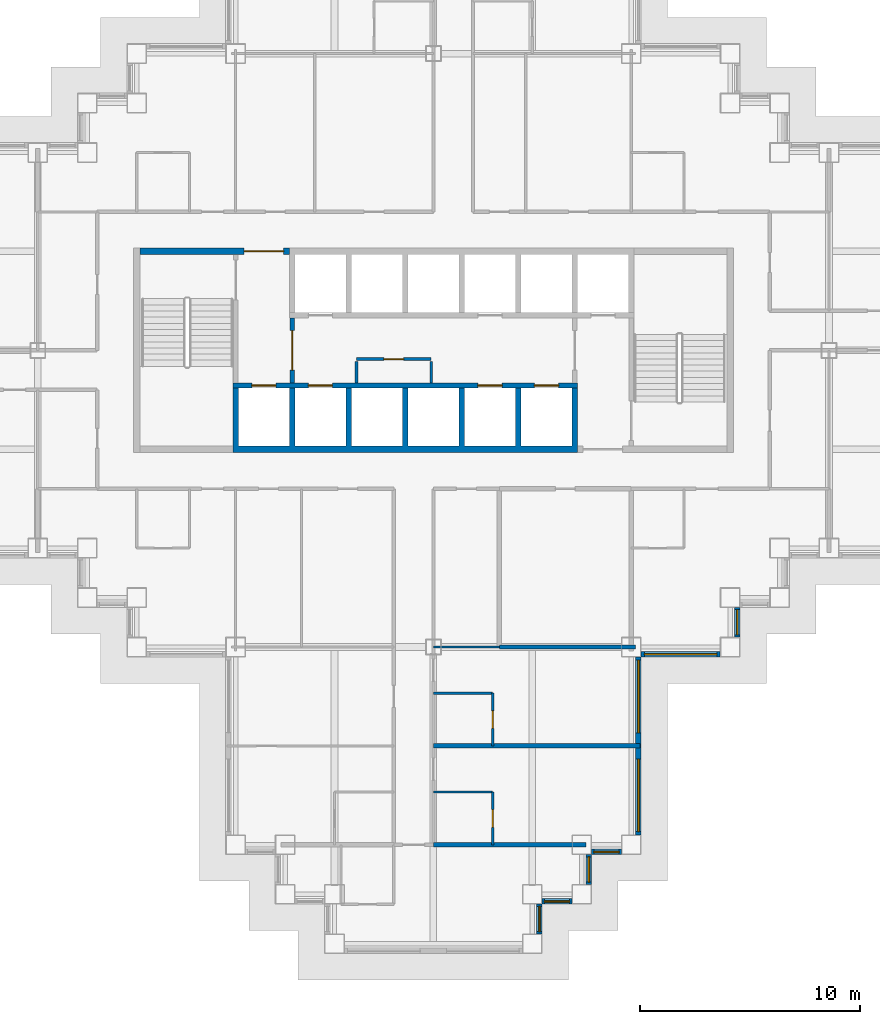
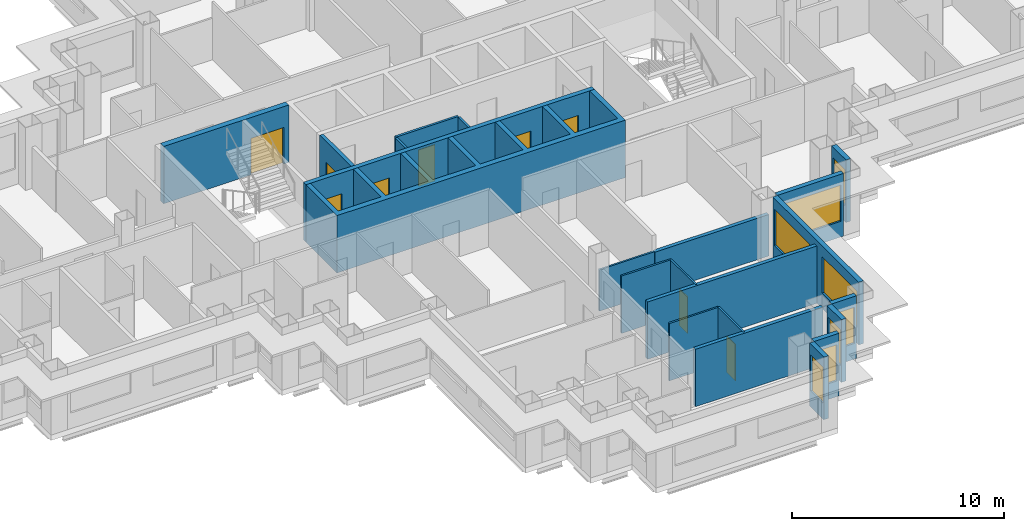
# One storey, part 5 of 15: 22 walls, 9 doors, 8 windows, 17 openings.
"""IFC4 building model written with IfcOpenShell, lengths in metres."""

from ifc_helpers import new_model, si_unit, direction, frame, frame_2d, origin, place, context, subcontext, project, spatial, polyline, rectangle, outline, extrude, material, layer, layer_set, type_object, element, fill, save


model = new_model("IFC4")

# Units and contexts
model_context = context("Model", 3, precision=1e-05, world=origin(), true_north=direction((0.0, 1.0)))
body_context = subcontext(model_context, "Body", "Model", "MODEL_VIEW")
ifc_project = project(units=[si_unit("LENGTHUNIT", "METRE"), si_unit("AREAUNIT", "SQUARE_METRE"), si_unit("VOLUMEUNIT", "CUBIC_METRE"), si_unit("PLANEANGLEUNIT", "RADIAN"), si_unit("MASSUNIT", "GRAM", prefix="KILO")], contexts=[model_context])

# Site, building, storey
site_placement = place(None, origin())
site = spatial("IfcSite", under=ifc_project, at=site_placement, CompositionType="ELEMENT")
building_placement = place(site_placement, origin())
building = spatial("IfcBuilding", under=site, at=building_placement, Name="Caravel Reach Hotel and Residences", CompositionType="ELEMENT")
storey_placement = place(building_placement, frame((0.0, 0.0, 108.0)))
storey = spatial("IfcBuildingStorey", under=building, at=storey_placement, Name="L26", CompositionType="ELEMENT", Elevation=108.0)

# Walls
ifc_material_1 = material(Name="Gypsum board on steel stud", Category="steel")
ifc_layer_1 = layer(ifc_material_1, 0.10009765625)
ifc_layer_set_1 = layer_set([ifc_layer_1], Name="Bathroom pod wall 100 mm")
wall_type_1 = type_object("IfcWallType", Name="Bathroom pod wall 100 mm", PredefinedType="PARTITIONING", material=ifc_layer_set_1)
for number, where, z_axis, x_axis, name in (
    (1, (31.5, 11.39990234375, 0.0), (0.0, 0.0, 1.0), (1.0, 0.0, 0.0), "L26 wall w082"),
    (2, (31.5, 6.89990234375, 0.0), (0.0, 0.0, 1.0), (1.0, 0.0, 0.0), "L26 wall w096"),
):
    element("IfcWall", number, at=place(storey_placement, frame(where, z_axis=z_axis, x_axis=x_axis)), inside=storey, type_object=wall_type_1, Name=name, PredefinedType="PARTITIONING", context=body_context, shape_type="SweptSolid", body=[
        extrude(rectangle(XDim=2.699951171875, YDim=0.10009765625, at=frame_2d((1.35009765625, 0.0))), origin(), (0.0, 0.0, 1.0), 3.300048828125),
    ])

# Wall, opening, door
wall_1_placement = place(storey_placement, frame((34.199951171875, 9.0, 0.0), z_axis=(0.0, 0.0, 1.0), x_axis=(0.0, 1.0, 0.0)))
wall_1 = element("IfcWall", 3, at=wall_1_placement, inside=storey, type_object=wall_type_1, Name="L26 wall w108", PredefinedType="PARTITIONING", context=body_context, shape_type="SweptSolid", body=[
    extrude(rectangle(XDim=2.39990234375, YDim=0.10009765625, at=frame_2d((1.199951171875, 0.0))), origin(), (0.0, 0.0, 1.0), 3.300048828125),
])
opening_1_placement = place(wall_1_placement, frame((0.800048828125, 0.0, 0.0)))
opening_1 = element("IfcOpeningElement", 4, at=opening_1_placement, cuts=wall_1, Name="Opening D26-036", PredefinedType="OPENING", context=body_context, shape_type="SweptSolid", body=[
    extrude(rectangle(XDim=0.800048828125, YDim=2.10009765625, at=frame_2d((0.39990234375, 1.050048828125))), frame((0.0, 0.06005859375, 0.0), z_axis=(0.0, -1.0, 0.0), x_axis=(1.0, 0.0, 0.0)), (0.0, 0.0, 1.0), 0.1201171875),
])
ifc_material_2 = material(Name="Timber and steel door leaf", Category="steel")
door_type_1 = type_object("IfcDoorType", Name="Bathroom door 800 x 2100", OperationType="SINGLE_SWING_LEFT", PredefinedType="DOOR", material=ifc_material_2)
door_1_placement = place(opening_1_placement, origin())
door_1 = element("IfcDoor", 5, at=door_1_placement, inside=storey, type_object=door_type_1, Name="door D26-036", OperationType="SINGLE_SWING_RIGHT", OverallHeight=2.10009765625, OverallWidth=0.800048828125, PredefinedType="DOOR", context=body_context, shape_type="SweptSolid", body=[
    extrude(rectangle(XDim=0.800048828125, YDim=2.10009765625, at=frame_2d((0.39990234375, 1.050048828125))), frame((0.0, 0.02490234375, 0.0), z_axis=(0.0, -1.0, 0.0), x_axis=(1.0, 0.0, 0.0)), (0.0, 0.0, 1.0), 0.050048828125),
])
fill(opening_1, door_1)

wall_2_placement = place(storey_placement, frame((34.199951171875, 4.5, 0.0), z_axis=(0.0, 0.0, 1.0), x_axis=(0.0, 1.0, 0.0)))
wall_2 = element("IfcWall", 6, at=wall_2_placement, inside=storey, type_object=wall_type_1, Name="L26 wall w109", PredefinedType="PARTITIONING", context=body_context, shape_type="SweptSolid", body=[
    extrude(rectangle(XDim=2.39990234375, YDim=0.10009765625, at=frame_2d((1.199951171875, 0.0))), origin(), (0.0, 0.0, 1.0), 3.300048828125),
])
opening_2_placement = place(wall_2_placement, frame((0.800048828125, 0.0, 0.0)))
opening_2 = element("IfcOpeningElement", 7, at=opening_2_placement, cuts=wall_2, Name="Opening D26-038", PredefinedType="OPENING", context=body_context, shape_type="SweptSolid", body=[
    extrude(rectangle(XDim=0.800048828125, YDim=2.10009765625, at=frame_2d((0.39990234375, 1.050048828125))), frame((0.0, 0.06005859375, 0.0), z_axis=(0.0, -1.0, 0.0), x_axis=(1.0, 0.0, 0.0)), (0.0, 0.0, 1.0), 0.1201171875),
])
door_2_placement = place(opening_2_placement, origin())
door_2 = element("IfcDoor", 8, at=door_2_placement, inside=storey, type_object=door_type_1, Name="door D26-038", OperationType="SINGLE_SWING_LEFT", OverallHeight=2.10009765625, OverallWidth=0.800048828125, PredefinedType="DOOR", context=body_context, shape_type="SweptSolid", body=[
    extrude(rectangle(XDim=0.800048828125, YDim=2.10009765625, at=frame_2d((0.39990234375, 1.050048828125))), frame((0.0, 0.02490234375, 0.0), z_axis=(0.0, -1.0, 0.0), x_axis=(1.0, 0.0, 0.0)), (0.0, 0.0, 1.0), 0.050048828125),
])
fill(opening_2, door_2)

# Wall
ifc_material_3 = material(Name="Autoclaved aerated block wall")
ifc_layer_2 = layer(ifc_material_3, 0.199951171875)
ifc_layer_set_2 = layer_set([ifc_layer_2], Name="Compartment wall 200 mm EI 120")
wall_type_2 = type_object("IfcWallType", Name="Compartment wall 200 mm EI 120", PredefinedType="PARTITIONING", material=ifc_layer_set_2)
wall_3_placement = place(storey_placement, frame((34.5, 13.5, 0.0), z_axis=(0.0, 0.0, 1.0), x_axis=(1.0, 0.0, 0.0)))
element("IfcWall", 9, at=wall_3_placement, inside=storey, type_object=wall_type_2, Name="L26 wall w117", PredefinedType="PARTITIONING", context=body_context, shape_type="SweptSolid", body=[
    extrude(rectangle(XDim=6.18994140625, YDim=0.199951171875, at=frame_2d((3.094970703125, 0.0))), origin(), (0.0, 0.0, 1.0), 2.3798828125),
])

# Wall, opening, door
ifc_material_4 = material(Name="Concrete C60", Category="concrete")
ifc_layer_3 = layer(ifc_material_4, 0.300048828125)
ifc_layer_set_3 = layer_set([ifc_layer_3], Name="Core wall 300 mm EI 120")
wall_type_3 = type_object("IfcWallType", Name="Core wall 300 mm EI 120", PredefinedType="SHEAR", material=ifc_layer_set_3)
wall_4_placement = place(storey_placement, frame((18.14990234375, 31.5, 0.0), z_axis=(0.0, 0.0, 1.0), x_axis=(1.0, 0.0, 0.0)))
wall_4 = element("IfcWall", 10, at=wall_4_placement, inside=storey, type_object=wall_type_3, Name="L26 core wall N1", PredefinedType="SHEAR", context=body_context, shape_type="SweptSolid", body=[
    extrude(rectangle(XDim=6.796630859375, YDim=0.300048828125, at=frame_2d((3.3984375, 0.0))), origin(), (0.0, 0.0, 1.0), 3.300048828125),
])
opening_3_placement = place(wall_4_placement, frame((4.735595703125, 0.0, 0.0)))
opening_3 = element("IfcOpeningElement", 11, at=opening_3_placement, cuts=wall_4, Name="Opening D26-013", PredefinedType="OPENING", context=body_context, shape_type="SweptSolid", body=[
    extrude(rectangle(XDim=1.800048828125, YDim=2.10009765625, at=frame_2d((0.89990234375, 1.050048828125))), frame((0.0, 0.159912109375, 0.0), z_axis=(0.0, -1.0, 0.0), x_axis=(1.0, 0.0, 0.0)), (0.0, 0.0, 1.0), 0.320068359375),
])
ifc_material_5 = material(Name="Steel fire door leaf", Category="steel")
door_type_2 = type_object("IfcDoorType", Name="Fire lobby door pair 1800 x 2100 EI 90", OperationType="DOUBLE_DOOR_SINGLE_SWING", PredefinedType="DOOR", material=ifc_material_5)
door_3_placement = place(opening_3_placement, origin())
door_3 = element("IfcDoor", 12, at=door_3_placement, inside=storey, type_object=door_type_2, Name="lobby N door pair to corridor", OperationType="DOUBLE_DOOR_SINGLE_SWING", OverallHeight=2.10009765625, OverallWidth=1.800048828125, PredefinedType="DOOR", context=body_context, shape_type="SweptSolid", body=[
    extrude(rectangle(XDim=1.800048828125, YDim=2.10009765625, at=frame_2d((0.89990234375, 1.050048828125))), frame((0.0, 0.02490234375, 0.0), z_axis=(0.0, -1.0, 0.0), x_axis=(1.0, 0.0, 0.0)), (0.0, 0.0, 1.0), 0.050048828125),
])
fill(opening_3, door_3)

# Wall, opening, window
ifc_material_6 = material(Name="Insulated rainscreen wall, aluminium cladding", Category="aluminium")
ifc_layer_4 = layer(ifc_material_6, 0.25)
ifc_layer_set_4 = layer_set([ifc_layer_4], Name="EW1 Tower rainscreen wall")
wall_type_4 = type_object("IfcWallType", Name="EW1 Tower rainscreen wall", PredefinedType="SOLIDWALL", material=ifc_layer_set_4)
wall_5_placement = place(storey_placement, frame((36.324951171875, 0.449951171875, 0.0), z_axis=(0.0, 0.0, 1.0), x_axis=(0.0, 1.0, 0.0)))
wall_5 = element("IfcWall", 13, at=wall_5_placement, inside=storey, type_object=wall_type_4, Name="External wall L26 E6.1", PredefinedType="SOLIDWALL", context=body_context, shape_type="SweptSolid", body=[
    extrude(rectangle(XDim=1.35009765625, YDim=0.25, at=frame_2d((0.675048828125, 0.0))), origin(), (0.0, 0.0, 1.0), 3.60009765625),
])
opening_4_placement = place(wall_5_placement, frame((0.10009765625, 0.0, 0.89990234375)))
opening_4 = element("IfcOpeningElement", 14, at=opening_4_placement, cuts=wall_5, Name="Opening WN8", PredefinedType="OPENING", context=body_context, shape_type="SweptSolid", body=[
    extrude(rectangle(XDim=1.14990234375, YDim=2.080078125, at=frame_2d((0.574951171875, 1.0400390625))), frame((0.0, 0.135009765625, 0.0), z_axis=(0.0, -1.0, 0.0), x_axis=(1.0, 0.0, 0.0)), (0.0, 0.0, 1.0), 0.27001953125),
])
ifc_material_7 = material(Name="Dark low-e glazing in black aluminium frame", Category="aluminium")
window_type_1 = type_object("IfcWindowType", Name="Hotel suite corner window 1150 x 2080", PartitioningType="SINGLE_PANEL", PredefinedType="WINDOW", material=ifc_material_7)
window_1_placement = place(opening_4_placement, origin())
window_1 = element("IfcWindow", 15, at=window_1_placement, inside=storey, type_object=window_type_1, Name="Window L26 E6.1.1", OverallHeight=2.080078125, OverallWidth=1.14990234375, PartitioningType="SINGLE_PANEL", PredefinedType="WINDOW", context=body_context, shape_type="SweptSolid", body=[
    extrude(rectangle(XDim=1.14990234375, YDim=2.080078125, at=frame_2d((0.574951171875, 1.0400390625))), frame((0.0, 0.030029296875, 0.0), z_axis=(0.0, -1.0, 0.0), x_axis=(1.0, 0.0, 0.0)), (0.0, 0.0, 1.0), 0.06005859375),
])
fill(opening_4, window_1)

wall_6_placement = place(storey_placement, frame((36.449951171875, 1.925048828125, 0.0), z_axis=(0.0, 0.0, 1.0), x_axis=(1.0, 0.0, 0.0)))
wall_6 = element("IfcWall", 16, at=wall_6_placement, inside=storey, type_object=wall_type_4, Name="External wall L26 S7.1", PredefinedType="SOLIDWALL", context=body_context, shape_type="SweptSolid", body=[
    extrude(rectangle(XDim=1.35009765625, YDim=0.25, at=frame_2d((0.675048828125, 0.0))), origin(), (0.0, 0.0, 1.0), 3.60009765625),
])
opening_5_placement = place(wall_6_placement, frame((0.10009765625, 0.0, 0.89990234375)))
opening_5 = element("IfcOpeningElement", 17, at=opening_5_placement, cuts=wall_6, Name="Opening WN8", PredefinedType="OPENING", context=body_context, shape_type="SweptSolid", body=[
    extrude(rectangle(XDim=1.14990234375, YDim=2.080078125, at=frame_2d((0.574951171875, 1.0400390625))), frame((0.0, 0.135009765625, 0.0), z_axis=(0.0, -1.0, 0.0), x_axis=(1.0, 0.0, 0.0)), (0.0, 0.0, 1.0), 0.27001953125),
])
window_2_placement = place(opening_5_placement, origin())
window_2 = element("IfcWindow", 18, at=window_2_placement, inside=storey, type_object=window_type_1, Name="Window L26 S7.1.1", OverallHeight=2.080078125, OverallWidth=1.14990234375, PartitioningType="SINGLE_PANEL", PredefinedType="WINDOW", context=body_context, shape_type="SweptSolid", body=[
    extrude(rectangle(XDim=1.14990234375, YDim=2.080078125, at=frame_2d((0.574951171875, 1.0400390625))), frame((0.0, 0.030029296875, 0.0), z_axis=(0.0, -1.0, 0.0), x_axis=(1.0, 0.0, 0.0)), (0.0, 0.0, 1.0), 0.06005859375),
])
fill(opening_5, window_2)

wall_7_placement = place(storey_placement, frame((38.574951171875, 2.699951171875, 0.0), z_axis=(0.0, 0.0, 1.0), x_axis=(0.0, 1.0, 0.0)))
wall_7 = element("IfcWall", 19, at=wall_7_placement, inside=storey, type_object=wall_type_4, Name="External wall L26 E8.1", PredefinedType="SOLIDWALL", context=body_context, shape_type="SweptSolid", body=[
    extrude(rectangle(XDim=1.35009765625, YDim=0.25, at=frame_2d((0.675048828125, 0.0))), origin(), (0.0, 0.0, 1.0), 3.60009765625),
])
opening_6_placement = place(wall_7_placement, frame((0.10009765625, 0.0, 0.89990234375)))
opening_6 = element("IfcOpeningElement", 20, at=opening_6_placement, cuts=wall_7, Name="Opening WN8", PredefinedType="OPENING", context=body_context, shape_type="SweptSolid", body=[
    extrude(rectangle(XDim=1.14990234375, YDim=2.080078125, at=frame_2d((0.574951171875, 1.0400390625))), frame((0.0, 0.135009765625, 0.0), z_axis=(0.0, -1.0, 0.0), x_axis=(1.0, 0.0, 0.0)), (0.0, 0.0, 1.0), 0.27001953125),
])
window_3_placement = place(opening_6_placement, origin())
window_3 = element("IfcWindow", 21, at=window_3_placement, inside=storey, type_object=window_type_1, Name="Window L26 E8.1.1", OverallHeight=2.080078125, OverallWidth=1.14990234375, PartitioningType="SINGLE_PANEL", PredefinedType="WINDOW", context=body_context, shape_type="SweptSolid", body=[
    extrude(rectangle(XDim=1.14990234375, YDim=2.080078125, at=frame_2d((0.574951171875, 1.0400390625))), frame((0.0, 0.030029296875, 0.0), z_axis=(0.0, -1.0, 0.0), x_axis=(1.0, 0.0, 0.0)), (0.0, 0.0, 1.0), 0.06005859375),
])
fill(opening_6, window_3)

wall_8_placement = place(storey_placement, frame((38.699951171875, 4.175048828125, 0.0), z_axis=(0.0, 0.0, 1.0), x_axis=(1.0, 0.0, 0.0)))
wall_8 = element("IfcWall", 22, at=wall_8_placement, inside=storey, type_object=wall_type_4, Name="External wall L26 S9.1", PredefinedType="SOLIDWALL", context=body_context, shape_type="SweptSolid", body=[
    extrude(rectangle(XDim=1.35009765625, YDim=0.25, at=frame_2d((0.675048828125, 0.0))), origin(), (0.0, 0.0, 1.0), 3.60009765625),
])
opening_7_placement = place(wall_8_placement, frame((0.10009765625, 0.0, 0.89990234375)))
opening_7 = element("IfcOpeningElement", 23, at=opening_7_placement, cuts=wall_8, Name="Opening WN8", PredefinedType="OPENING", context=body_context, shape_type="SweptSolid", body=[
    extrude(rectangle(XDim=1.14990234375, YDim=2.080078125, at=frame_2d((0.574951171875, 1.0400390625))), frame((0.0, 0.135009765625, 0.0), z_axis=(0.0, -1.0, 0.0), x_axis=(1.0, 0.0, 0.0)), (0.0, 0.0, 1.0), 0.27001953125),
])
window_4_placement = place(opening_7_placement, origin())
window_4 = element("IfcWindow", 24, at=window_4_placement, inside=storey, type_object=window_type_1, Name="Window L26 S9.1.1", OverallHeight=2.080078125, OverallWidth=1.14990234375, PartitioningType="SINGLE_PANEL", PredefinedType="WINDOW", context=body_context, shape_type="SweptSolid", body=[
    extrude(rectangle(XDim=1.14990234375, YDim=2.080078125, at=frame_2d((0.574951171875, 1.0400390625))), frame((0.0, 0.030029296875, 0.0), z_axis=(0.0, -1.0, 0.0), x_axis=(1.0, 0.0, 0.0)), (0.0, 0.0, 1.0), 0.06005859375),
])
fill(opening_7, window_4)

# Wall, openings, windows
wall_9_placement = place(storey_placement, frame((40.824951171875, 4.949951171875, 0.0), z_axis=(0.0, 0.0, 1.0), x_axis=(0.0, 1.0, 0.0)))
wall_9 = element("IfcWall", 25, at=wall_9_placement, inside=storey, type_object=wall_type_4, Name="External wall L26 E10.1", PredefinedType="SOLIDWALL", context=body_context, shape_type="SweptSolid", body=[
    extrude(rectangle(XDim=8.10009765625, YDim=0.25, at=frame_2d((4.050048828125, 0.0))), origin(), (0.0, 0.0, 1.0), 3.60009765625),
])
opening_8_placement = place(wall_9_placement, frame((0.14990234375, 0.0, 0.89990234375)))
opening_8 = element("IfcOpeningElement", 26, at=opening_8_placement, cuts=wall_9, Name="Opening WN4", PredefinedType="OPENING", context=body_context, shape_type="SweptSolid", body=[
    extrude(rectangle(XDim=3.300048828125, YDim=2.080078125, at=frame_2d((1.64990234375, 1.0400390625))), frame((0.0, 0.135009765625, 0.0), z_axis=(0.0, -1.0, 0.0), x_axis=(1.0, 0.0, 0.0)), (0.0, 0.0, 1.0), 0.27001953125),
])
opening_9_placement = place(wall_9_placement, frame((4.64990234375, 0.0, 0.89990234375)))
opening_9 = element("IfcOpeningElement", 27, at=opening_9_placement, cuts=wall_9, Name="Opening WN4", PredefinedType="OPENING", context=body_context, shape_type="SweptSolid", body=[
    extrude(rectangle(XDim=3.300048828125, YDim=2.080078125, at=frame_2d((1.64990234375, 1.0400390625))), frame((0.0, 0.135009765625, 0.0), z_axis=(0.0, -1.0, 0.0), x_axis=(1.0, 0.0, 0.0)), (0.0, 0.0, 1.0), 0.27001953125),
])
ifc_material_8 = material(Name="Dark low-e glazing in black aluminium frame", Category="aluminium")
window_type_2 = type_object("IfcWindowType", Name="Hotel guest room window 3300 x 2080", PartitioningType="SINGLE_PANEL", PredefinedType="WINDOW", material=ifc_material_8)
window_5_placement = place(opening_8_placement, origin())
window_5 = element("IfcWindow", 28, at=window_5_placement, inside=storey, type_object=window_type_2, Name="Window L26 E10.1.1", OverallHeight=2.080078125, OverallWidth=3.300048828125, PartitioningType="SINGLE_PANEL", PredefinedType="WINDOW", context=body_context, shape_type="SweptSolid", body=[
    extrude(rectangle(XDim=3.300048828125, YDim=2.080078125, at=frame_2d((1.64990234375, 1.0400390625))), frame((0.0, 0.030029296875, 0.0), z_axis=(0.0, -1.0, 0.0), x_axis=(1.0, 0.0, 0.0)), (0.0, 0.0, 1.0), 0.06005859375),
])
fill(opening_8, window_5)
window_6_placement = place(opening_9_placement, origin())
window_6 = element("IfcWindow", 29, at=window_6_placement, inside=storey, type_object=window_type_2, Name="Window L26 E10.1.2", OverallHeight=2.080078125, OverallWidth=3.300048828125, PartitioningType="SINGLE_PANEL", PredefinedType="WINDOW", context=body_context, shape_type="SweptSolid", body=[
    extrude(rectangle(XDim=3.300048828125, YDim=2.080078125, at=frame_2d((1.64990234375, 1.0400390625))), frame((0.0, 0.030029296875, 0.0), z_axis=(0.0, -1.0, 0.0), x_axis=(1.0, 0.0, 0.0)), (0.0, 0.0, 1.0), 0.06005859375),
])
fill(opening_9, window_6)

# Wall, opening, window
wall_10_placement = place(storey_placement, frame((40.949951171875, 13.175048828125, 0.0), z_axis=(0.0, 0.0, 1.0), x_axis=(1.0, 0.0, 0.0)))
wall_10 = element("IfcWall", 30, at=wall_10_placement, inside=storey, type_object=wall_type_4, Name="External wall L26 S11.1", PredefinedType="SOLIDWALL", context=body_context, shape_type="SweptSolid", body=[
    extrude(rectangle(XDim=3.60009765625, YDim=0.25, at=frame_2d((1.800048828125, 0.0))), origin(), (0.0, 0.0, 1.0), 3.60009765625),
])
opening_10_placement = place(wall_10_placement, frame((0.14990234375, 0.0, 0.89990234375)))
opening_10 = element("IfcOpeningElement", 31, at=opening_10_placement, cuts=wall_10, Name="Opening WN4", PredefinedType="OPENING", context=body_context, shape_type="SweptSolid", body=[
    extrude(rectangle(XDim=3.300048828125, YDim=2.080078125, at=frame_2d((1.64990234375, 1.0400390625))), frame((0.0, 0.135009765625, 0.0), z_axis=(0.0, -1.0, 0.0), x_axis=(1.0, 0.0, 0.0)), (0.0, 0.0, 1.0), 0.27001953125),
])
window_7_placement = place(opening_10_placement, origin())
window_7 = element("IfcWindow", 32, at=window_7_placement, inside=storey, type_object=window_type_2, Name="Window L26 S11.1.1", OverallHeight=2.080078125, OverallWidth=3.300048828125, PartitioningType="SINGLE_PANEL", PredefinedType="WINDOW", context=body_context, shape_type="SweptSolid", body=[
    extrude(rectangle(XDim=3.300048828125, YDim=2.080078125, at=frame_2d((1.64990234375, 1.0400390625))), frame((0.0, 0.030029296875, 0.0), z_axis=(0.0, -1.0, 0.0), x_axis=(1.0, 0.0, 0.0)), (0.0, 0.0, 1.0), 0.06005859375),
])
fill(opening_10, window_7)

wall_11_placement = place(storey_placement, frame((45.324951171875, 13.949951171875, 0.0), z_axis=(0.0, 0.0, 1.0), x_axis=(0.0, 1.0, 0.0)))
wall_11 = element("IfcWall", 33, at=wall_11_placement, inside=storey, type_object=wall_type_4, Name="External wall L26 E12.1", PredefinedType="SOLIDWALL", context=body_context, shape_type="SweptSolid", body=[
    extrude(rectangle(XDim=1.35009765625, YDim=0.25, at=frame_2d((0.675048828125, 0.0))), origin(), (0.0, 0.0, 1.0), 3.60009765625),
])
opening_11_placement = place(wall_11_placement, frame((0.10009765625, 0.0, 0.89990234375)))
opening_11 = element("IfcOpeningElement", 34, at=opening_11_placement, cuts=wall_11, Name="Opening WN8", PredefinedType="OPENING", context=body_context, shape_type="SweptSolid", body=[
    extrude(rectangle(XDim=1.14990234375, YDim=2.080078125, at=frame_2d((0.574951171875, 1.0400390625))), frame((0.0, 0.135009765625, 0.0), z_axis=(0.0, -1.0, 0.0), x_axis=(1.0, 0.0, 0.0)), (0.0, 0.0, 1.0), 0.27001953125),
])
window_8_placement = place(opening_11_placement, origin())
window_8 = element("IfcWindow", 35, at=window_8_placement, inside=storey, type_object=window_type_1, Name="Window L26 E12.1.1", OverallHeight=2.080078125, OverallWidth=1.14990234375, PartitioningType="SINGLE_PANEL", PredefinedType="WINDOW", context=body_context, shape_type="SweptSolid", body=[
    extrude(rectangle(XDim=1.14990234375, YDim=2.080078125, at=frame_2d((0.574951171875, 1.0400390625))), frame((0.0, 0.030029296875, 0.0), z_axis=(0.0, -1.0, 0.0), x_axis=(1.0, 0.0, 0.0)), (0.0, 0.0, 1.0), 0.06005859375),
])
fill(opening_11, window_8)

# Wall, opening, door
ifc_material_9 = material(Name="Autoclaved aerated block wall")
ifc_layer_5 = layer(ifc_material_9, 0.199951171875)
ifc_layer_set_5 = layer_set([ifc_layer_5], Name="Fire lobby wall 200 mm EI 120")
wall_type_5 = type_object("IfcWallType", Name="Fire lobby wall 200 mm EI 120", PredefinedType="PARTITIONING", material=ifc_layer_set_5)
wall_12_placement = place(storey_placement, frame((25.071533203125, 25.52490234375, 0.0), z_axis=(0.0, 0.0, 1.0), x_axis=(0.0, 1.0, 0.0)))
wall_12 = element("IfcWall", 36, at=wall_12_placement, inside=storey, type_object=wall_type_5, Name="L26 lobby W wall", PredefinedType="PARTITIONING", context=body_context, shape_type="SweptSolid", body=[
    extrude(rectangle(XDim=2.9501953125, YDim=0.199951171875, at=frame_2d((1.47509765625, 0.0))), origin(), (0.0, 0.0, 1.0), 3.300048828125),
])
opening_12_placement = place(wall_12_placement, frame((0.574951171875, 0.0, 0.0)))
opening_12 = element("IfcOpeningElement", 37, at=opening_12_placement, cuts=wall_12, Name="Opening D26-011", PredefinedType="OPENING", context=body_context, shape_type="SweptSolid", body=[
    extrude(rectangle(XDim=1.800048828125, YDim=2.10009765625, at=frame_2d((0.89990234375, 1.050048828125))), frame((0.0, 0.10986328125, 0.0), z_axis=(0.0, -1.0, 0.0), x_axis=(1.0, 0.0, 0.0)), (0.0, 0.0, 1.0), 0.219970703125),
])
door_4_placement = place(opening_12_placement, origin())
door_4 = element("IfcDoor", 38, at=door_4_placement, inside=storey, type_object=door_type_2, Name="lobby W door pair", OperationType="DOUBLE_DOOR_SINGLE_SWING", OverallHeight=2.10009765625, OverallWidth=1.800048828125, PredefinedType="DOOR", context=body_context, shape_type="SweptSolid", body=[
    extrude(rectangle(XDim=1.800048828125, YDim=2.10009765625, at=frame_2d((0.89990234375, 1.050048828125))), frame((0.0, 0.02490234375, 0.0), z_axis=(0.0, -1.0, 0.0), x_axis=(1.0, 0.0, 0.0)), (0.0, 0.0, 1.0), 0.050048828125),
])
fill(opening_12, door_4)

# Walls
ifc_material_10 = material(Name="Gypsum board on steel stud", Category="steel")
ifc_layer_6 = layer(ifc_material_10, 0.10009765625)
ifc_layer_set_6 = layer_set([ifc_layer_6], Name="Partition 100 mm")
wall_type_6 = type_object("IfcWallType", Name="Partition 100 mm", PredefinedType="PARTITIONING", material=ifc_layer_set_6)
wall_13_placement = place(storey_placement, frame((31.5, 13.5, 0.0), z_axis=(0.0, 0.0, 1.0), x_axis=(1.0, 0.0, 0.0)))
element("IfcWall", 39, at=wall_13_placement, inside=storey, type_object=wall_type_6, Name="L26 wall w042", PredefinedType="PARTITIONING", context=body_context, shape_type="SweptSolid", body=[
    extrude(rectangle(XDim=3.0, YDim=0.10009765625, at=frame_2d((1.5, 0.0))), origin(), (0.0, 0.0, 1.0), 2.3798828125),
])
ifc_material_11 = material(Name="Autoclaved aerated block wall")
ifc_layer_7 = layer(ifc_material_11, 0.199951171875)
ifc_layer_set_7 = layer_set([ifc_layer_7], Name="Party wall 200 mm EI 60")
wall_type_7 = type_object("IfcWallType", Name="Party wall 200 mm EI 60", PredefinedType="PARTITIONING", material=ifc_layer_set_7)
wall_14_placement = place(storey_placement, frame((31.5, 4.5, 0.0), z_axis=(0.0, 0.0, 1.0), x_axis=(1.0, 0.0, 0.0)))
element("IfcWall", 40, at=wall_14_placement, inside=storey, type_object=wall_type_7, Name="L26 wall w071", PredefinedType="PARTITIONING", context=body_context, shape_type="SweptSolid", body=[
    extrude(rectangle(XDim=6.93994140625, YDim=0.199951171875, at=frame_2d((3.469970703125, 0.0))), origin(), (0.0, 0.0, 1.0), 3.300048828125),
])
wall_15_placement = place(storey_placement, frame((31.5, 9.0, 0.0), z_axis=(0.0, 0.0, 1.0), x_axis=(1.0, 0.0, 0.0)))
element("IfcWall", 41, at=wall_15_placement, inside=storey, type_object=wall_type_7, Name="L26 wall w073", PredefinedType="PARTITIONING", context=body_context, shape_type="SweptSolid", body=[
    extrude(rectangle(XDim=9.389892578125, YDim=0.199951171875, at=frame_2d((4.69482421875, 0.0))), origin(), (0.0, 0.0, 1.0), 3.300048828125),
])

# Wall, opening, door
ifc_material_12 = material(Name="Autoclaved aerated block wall")
ifc_layer_8 = layer(ifc_material_12, 0.125)
ifc_layer_set_8 = layer_set([ifc_layer_8], Name="Riser wall 125 mm EI 60")
wall_type_8 = type_object("IfcWallType", Name="Riser wall 125 mm EI 60", PredefinedType="PARTITIONING", material=ifc_layer_set_8)
wall_16_placement = place(storey_placement, frame((28.0, 26.60009765625, 0.0), z_axis=(0.0, 0.0, 1.0), x_axis=(1.0, 0.0, 0.0)))
wall_16 = element("IfcWall", 42, at=wall_16_placement, inside=storey, type_object=wall_type_8, Name="L26 service room wall S1", PredefinedType="PARTITIONING", context=body_context, shape_type="SweptSolid", body=[
    extrude(rectangle(XDim=3.39990234375, YDim=0.125, at=frame_2d((1.699951171875, 0.0))), origin(), (0.0, 0.0, 1.0), 3.300048828125),
])
opening_13_placement = place(wall_16_placement, frame((1.25, 0.0, 0.0)))
opening_13 = element("IfcOpeningElement", 43, at=opening_13_placement, cuts=wall_16, Name="Opening D26-008", PredefinedType="OPENING", context=body_context, shape_type="SweptSolid", body=[
    extrude(rectangle(XDim=0.89990234375, YDim=2.10009765625, at=frame_2d((0.449951171875, 1.050048828125))), frame((0.0, 0.072509765625, 0.0), z_axis=(0.0, -1.0, 0.0), x_axis=(1.0, 0.0, 0.0)), (0.0, 0.0, 1.0), 0.14501953125),
])
ifc_material_13 = material(Name="Steel fire door leaf", Category="steel")
door_type_3 = type_object("IfcDoorType", Name="Riser door 900 x 2100 EI 60", OperationType="SINGLE_SWING_LEFT", PredefinedType="DOOR", material=ifc_material_13)
door_5_placement = place(opening_13_placement, origin())
door_5 = element("IfcDoor", 44, at=door_5_placement, inside=storey, type_object=door_type_3, Name="Linen store door", OperationType="SINGLE_SWING_LEFT", OverallHeight=2.10009765625, OverallWidth=0.89990234375, PredefinedType="DOOR", context=body_context, shape_type="SweptSolid", body=[
    extrude(rectangle(XDim=0.89990234375, YDim=2.10009765625, at=frame_2d((0.449951171875, 1.050048828125))), frame((0.0, 0.02490234375, 0.0), z_axis=(0.0, -1.0, 0.0), x_axis=(1.0, 0.0, 0.0)), (0.0, 0.0, 1.0), 0.050048828125),
])
fill(opening_13, door_5)

# Walls
for number, where, z_axis, x_axis, name in (
    (45, (28.0, 25.52490234375, 0.0), (0.0, 0.0, 1.0), (0.0, 1.0, 0.0), "L26 service room partition S1"),
    (46, (31.39990234375, 25.52490234375, 0.0), (0.0, 0.0, 1.0), (0.0, 1.0, 0.0), "L26 service room partition S1"),
):
    element("IfcWall", number, at=place(storey_placement, frame(where, z_axis=z_axis, x_axis=x_axis)), inside=storey, type_object=wall_type_8, Name=name, PredefinedType="PARTITIONING", context=body_context, shape_type="SweptSolid", body=[
        extrude(rectangle(XDim=0.97509765625, YDim=0.125, at=frame_2d((0.487548828125, 0.0))), origin(), (0.0, 0.0, 1.0), 3.300048828125),
    ])
ifc_material_14 = material(Name="Concrete C60", Category="concrete")
ifc_layer_9 = layer(ifc_material_14, 0.25)
ifc_layer_set_9 = layer_set([ifc_layer_9], Name="Shaft wall 250 mm EI 120")
wall_type_9 = type_object("IfcWallType", Name="Shaft wall 250 mm EI 120", PredefinedType="SHEAR", material=ifc_layer_set_9)
wall_17_placement = place(storey_placement, origin())
element("IfcWall", 47, at=wall_17_placement, inside=storey, type_object=wall_type_9, Name="L26 lift shaft wall S1", PredefinedType="SHEAR", context=body_context, shape_type="SweptSolid", body=[
    extrude(outline(polyline([(22.375, 22.35009765625), (38.053466796875, 22.35009765625), (38.053466796875, 25.27490234375), (37.803466796875, 25.27490234375), (37.803466796875, 22.64990234375), (35.482177734375, 22.64990234375), (35.482177734375, 25.27490234375), (35.232177734375, 25.27490234375), (35.232177734375, 22.64990234375), (32.91064453125, 22.64990234375), (32.91064453125, 25.27490234375), (32.66064453125, 25.27490234375), (32.66064453125, 22.64990234375), (30.33935546875, 22.64990234375), (30.33935546875, 25.27490234375), (30.08935546875, 25.27490234375), (30.08935546875, 22.64990234375), (27.767822265625, 22.64990234375), (27.767822265625, 25.27490234375), (27.517822265625, 25.27490234375), (27.517822265625, 22.64990234375), (25.196533203125, 22.64990234375), (25.196533203125, 25.27490234375), (24.946533203125, 25.27490234375), (24.946533203125, 22.64990234375), (22.625, 22.64990234375), (22.625, 25.27490234375), (22.375, 25.27490234375), (22.375, 22.35009765625)])), origin(), (0.0, 0.0, 1.0), 3.300048828125),
])

# Wall, openings, doors
wall_18_placement = place(storey_placement, frame((22.375, 25.39990234375, 0.0), z_axis=(0.0, 0.0, 1.0), x_axis=(1.0, 0.0, 0.0)))
wall_18 = element("IfcWall", 48, at=wall_18_placement, inside=storey, type_object=wall_type_9, Name="L26 lobby wall S1", PredefinedType="SHEAR", context=body_context, shape_type="SweptSolid", body=[
    extrude(rectangle(XDim=15.678466796875, YDim=0.25, at=frame_2d((7.83935546875, 0.0))), origin(), (0.0, 0.0, 1.0), 3.300048828125),
])
opening_14_placement = place(wall_18_placement, frame((3.43212890625, 0.0, 0.0)))
opening_14 = element("IfcOpeningElement", 49, at=opening_14_placement, cuts=wall_18, Name="Opening D26-001", PredefinedType="OPENING", context=body_context, shape_type="SweptSolid", body=[
    extrude(rectangle(XDim=1.10009765625, YDim=2.10009765625, at=frame_2d((0.550048828125, 1.050048828125))), frame((0.0, 0.135009765625, 0.0), z_axis=(0.0, -1.0, 0.0), x_axis=(1.0, 0.0, 0.0)), (0.0, 0.0, 1.0), 0.27001953125),
])
opening_15_placement = place(wall_18_placement, frame((11.146484375, 0.0, 0.0)))
opening_15 = element("IfcOpeningElement", 50, at=opening_15_placement, cuts=wall_18, Name="Opening D26-002", PredefinedType="OPENING", context=body_context, shape_type="SweptSolid", body=[
    extrude(rectangle(XDim=1.10009765625, YDim=2.10009765625, at=frame_2d((0.550048828125, 1.050048828125))), frame((0.0, 0.135009765625, 0.0), z_axis=(0.0, -1.0, 0.0), x_axis=(1.0, 0.0, 0.0)), (0.0, 0.0, 1.0), 0.27001953125),
])
opening_16_placement = place(wall_18_placement, frame((13.718017578125, 0.0, 0.0)))
opening_16 = element("IfcOpeningElement", 51, at=opening_16_placement, cuts=wall_18, Name="Opening D26-003", PredefinedType="OPENING", context=body_context, shape_type="SweptSolid", body=[
    extrude(rectangle(XDim=1.10009765625, YDim=2.10009765625, at=frame_2d((0.550048828125, 1.050048828125))), frame((0.0, 0.135009765625, 0.0), z_axis=(0.0, -1.0, 0.0), x_axis=(1.0, 0.0, 0.0)), (0.0, 0.0, 1.0), 0.27001953125),
])
opening_17_placement = place(wall_18_placement, frame((0.860595703125, 0.0, 0.0)))
opening_17 = element("IfcOpeningElement", 52, at=opening_17_placement, cuts=wall_18, Name="Opening D26-006", PredefinedType="OPENING", context=body_context, shape_type="SweptSolid", body=[
    extrude(rectangle(XDim=1.10009765625, YDim=2.10009765625, at=frame_2d((0.550048828125, 1.050048828125))), frame((0.0, 0.135009765625, 0.0), z_axis=(0.0, -1.0, 0.0), x_axis=(1.0, 0.0, 0.0)), (0.0, 0.0, 1.0), 0.27001953125),
])
ifc_material_15 = material(Name="Stainless steel landing door", Category="steel")
door_type_4 = type_object("IfcDoorType", Name="Landing door LD 1100 x 2100 sliding", OperationType="DOUBLE_DOOR_SLIDING", PredefinedType="DOOR", material=ifc_material_15)
door_6_placement = place(opening_14_placement, origin())
door_6 = element("IfcDoor", 53, at=door_6_placement, inside=storey, type_object=door_type_4, Name="LP1 landing door", OperationType="DOUBLE_DOOR_SLIDING", OverallHeight=2.10009765625, OverallWidth=1.10009765625, PredefinedType="DOOR", context=body_context, shape_type="SweptSolid", body=[
    extrude(rectangle(XDim=1.10009765625, YDim=2.10009765625, at=frame_2d((0.550048828125, 1.050048828125))), frame((0.0, 0.02490234375, 0.0), z_axis=(0.0, -1.0, 0.0), x_axis=(1.0, 0.0, 0.0)), (0.0, 0.0, 1.0), 0.050048828125),
])
fill(opening_14, door_6)
door_7_placement = place(opening_15_placement, origin())
door_7 = element("IfcDoor", 54, at=door_7_placement, inside=storey, type_object=door_type_4, Name="LP2 landing door", OperationType="DOUBLE_DOOR_SLIDING", OverallHeight=2.10009765625, OverallWidth=1.10009765625, PredefinedType="DOOR", context=body_context, shape_type="SweptSolid", body=[
    extrude(rectangle(XDim=1.10009765625, YDim=2.10009765625, at=frame_2d((0.550048828125, 1.050048828125))), frame((0.0, 0.02490234375, 0.0), z_axis=(0.0, -1.0, 0.0), x_axis=(1.0, 0.0, 0.0)), (0.0, 0.0, 1.0), 0.050048828125),
])
fill(opening_15, door_7)
door_8_placement = place(opening_16_placement, origin())
door_8 = element("IfcDoor", 55, at=door_8_placement, inside=storey, type_object=door_type_4, Name="LP3 landing door", OperationType="DOUBLE_DOOR_SLIDING", OverallHeight=2.10009765625, OverallWidth=1.10009765625, PredefinedType="DOOR", context=body_context, shape_type="SweptSolid", body=[
    extrude(rectangle(XDim=1.10009765625, YDim=2.10009765625, at=frame_2d((0.550048828125, 1.050048828125))), frame((0.0, 0.02490234375, 0.0), z_axis=(0.0, -1.0, 0.0), x_axis=(1.0, 0.0, 0.0)), (0.0, 0.0, 1.0), 0.050048828125),
])
fill(opening_16, door_8)
door_9_placement = place(opening_17_placement, origin())
door_9 = element("IfcDoor", 56, at=door_9_placement, inside=storey, type_object=door_type_4, Name="FL1 landing door", OperationType="DOUBLE_DOOR_SLIDING", OverallHeight=2.10009765625, OverallWidth=1.10009765625, PredefinedType="DOOR", context=body_context, shape_type="SweptSolid", body=[
    extrude(rectangle(XDim=1.10009765625, YDim=2.10009765625, at=frame_2d((0.550048828125, 1.050048828125))), frame((0.0, 0.02490234375, 0.0), z_axis=(0.0, -1.0, 0.0), x_axis=(1.0, 0.0, 0.0)), (0.0, 0.0, 1.0), 0.050048828125),
])
fill(opening_17, door_9)

save(model, "model.ifc")
